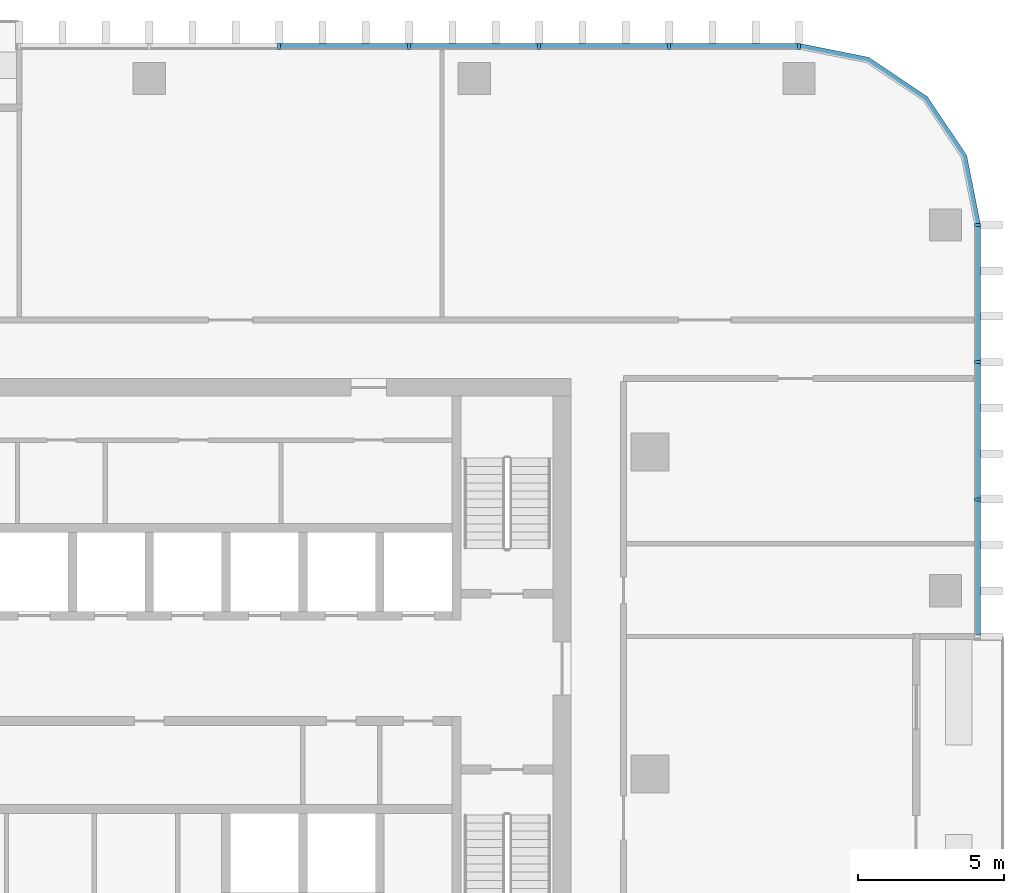
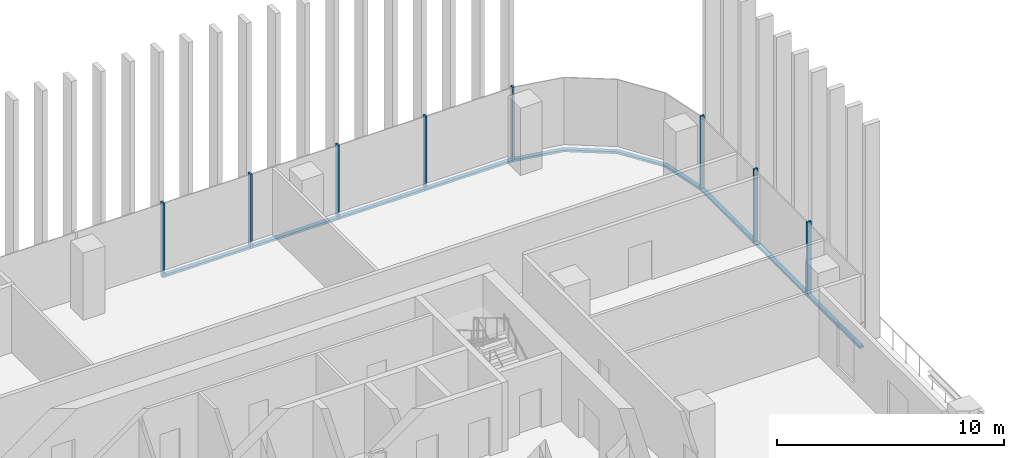
# One storey, part 5 of 15: 16 members, 3 elements without a shape of their own.
"""IFC4 building model written with IfcOpenShell, lengths in metres."""

from ifc_helpers import new_model, si_unit, direction, frame, origin, origin_2d, place, context, subcontext, project, spatial, polyline, rectangle, outline, extrude, material, material_profile, profile_set, type_object, element, aggregate, save


model = new_model("IFC4")

# Units and contexts
model_context = context("Model", 3, precision=1e-05, world=origin(), true_north=direction((0.0, 1.0)))
body_context = subcontext(model_context, "Body", "Model", "MODEL_VIEW")
ifc_project = project(units=[si_unit("LENGTHUNIT", "METRE"), si_unit("AREAUNIT", "SQUARE_METRE"), si_unit("VOLUMEUNIT", "CUBIC_METRE"), si_unit("PLANEANGLEUNIT", "RADIAN"), si_unit("MASSUNIT", "GRAM", prefix="KILO")], contexts=[model_context])

# Site, building, storey
site_placement = place(None, origin())
site = spatial("IfcSite", under=ifc_project, at=site_placement, CompositionType="ELEMENT")
building_placement = place(site_placement, origin())
building = spatial("IfcBuilding", under=site, at=building_placement, Name="Mopane Tessera Tower", CompositionType="ELEMENT")
storey_placement = place(building_placement, frame((0.0, 0.0, 223.0)))
storey = spatial("IfcBuildingStorey", under=building, at=storey_placement, Name="L47", CompositionType="ELEMENT", Elevation=223.0)

# Curtain wall, members
ifc_material_1 = material(Name="Aluminium frame", Category="aluminium")
curtain_wall_type = type_object("IfcCurtainWallType", Name="Unitised curtain wall", PredefinedType="NOTDEFINED", material=ifc_material_1)
curtain_wall_1_placement = place(storey_placement, origin())
curtain_wall_1 = element("IfcCurtainWall", 1, at=curtain_wall_1_placement, inside=storey, type_object=curtain_wall_type, Name="e:cw:L47:E:5", PredefinedType="NOTDEFINED")
ifc_material_2 = material(Name="Aluminium frame", Category="aluminium")
ifc_material_profile_1 = material_profile(ifc_material_2, rectangle(XDim=0.10009765625, YDim=0.199951171875, at=origin_2d()))
ifc_profile_set_1 = profile_set([ifc_material_profile_1], Name="Aluminium frame")
member_type_1 = type_object("IfcMemberType", Name="Aluminium mullion 100 x 200", PredefinedType="MULLION", material=ifc_profile_set_1)
member_1_placement = place(storey_placement, frame((28.300048828125, 9.375, -0.39990234375), z_axis=(0.0, 0.0, 1.0), x_axis=(0.0, 1.0, 0.0)))
member_1 = element("IfcMember", 2, at=member_1_placement, type_object=member_type_1, Name="e:cw:L47:E:5:mu6", PredefinedType="MULLION", context=body_context, shape_type="SweptSolid", body=[
    extrude(rectangle(XDim=0.10009765625, YDim=0.199951171875, at=origin_2d()), origin(), (0.0, 0.0, 1.0), 4.0),
])
member_2_placement = place(storey_placement, frame((28.300048828125, 14.0625, -0.39990234375), z_axis=(0.0, 0.0, 1.0), x_axis=(0.0, 1.0, 0.0)))
member_2 = element("IfcMember", 3, at=member_2_placement, type_object=member_type_1, Name="e:cw:L47:E:5:mu7", PredefinedType="MULLION", context=body_context, shape_type="SweptSolid", body=[
    extrude(rectangle(XDim=0.10009765625, YDim=0.199951171875, at=origin_2d()), origin(), (0.0, 0.0, 1.0), 4.0),
])
member_3_placement = place(storey_placement, frame((28.300048828125, 18.75, -0.39990234375), z_axis=(0.0, 0.0, 1.0), x_axis=(0.0, 1.0, 0.0)))
member_3 = element("IfcMember", 4, at=member_3_placement, type_object=member_type_1, Name="e:cw:L47:E:5:mu8", PredefinedType="MULLION", context=body_context, shape_type="SweptSolid", body=[
    extrude(rectangle(XDim=0.10009765625, YDim=0.199951171875, at=origin_2d()), origin(), (0.0, 0.0, 1.0), 4.0),
])

curtain_wall_2_placement = place(storey_placement, origin())
curtain_wall_2 = element("IfcCurtainWall", 5, at=curtain_wall_2_placement, inside=storey, type_object=curtain_wall_type, Name="e:cw:L47:N:0", PredefinedType="NOTDEFINED")
member_4_placement = place(storey_placement, frame((22.199951171875, 24.85009765625, -0.39990234375), z_axis=(0.0, 0.0, 1.0), x_axis=(-1.0, 0.0, 0.0)))
member_4 = element("IfcMember", 6, at=member_4_placement, type_object=member_type_1, Name="e:cw:L47:N:0:mu0", PredefinedType="MULLION", context=body_context, shape_type="SweptSolid", body=[
    extrude(rectangle(XDim=0.10009765625, YDim=0.199951171875, at=origin_2d()), origin(), (0.0, 0.0, 1.0), 4.0),
])
member_5_placement = place(storey_placement, frame((17.760009765625, 24.85009765625, -0.39990234375), z_axis=(0.0, 0.0, 1.0), x_axis=(-1.0, 0.0, 0.0)))
member_5 = element("IfcMember", 7, at=member_5_placement, type_object=member_type_1, Name="e:cw:L47:N:0:mu1", PredefinedType="MULLION", context=body_context, shape_type="SweptSolid", body=[
    extrude(rectangle(XDim=0.10009765625, YDim=0.199951171875, at=origin_2d()), origin(), (0.0, 0.0, 1.0), 4.0),
])
member_6_placement = place(storey_placement, frame((13.320068359375, 24.85009765625, -0.39990234375), z_axis=(0.0, 0.0, 1.0), x_axis=(-1.0, 0.0, 0.0)))
member_6 = element("IfcMember", 8, at=member_6_placement, type_object=member_type_1, Name="e:cw:L47:N:0:mu2", PredefinedType="MULLION", context=body_context, shape_type="SweptSolid", body=[
    extrude(rectangle(XDim=0.10009765625, YDim=0.199951171875, at=origin_2d()), origin(), (0.0, 0.0, 1.0), 4.0),
])
member_7_placement = place(storey_placement, frame((8.8798828125, 24.85009765625, -0.39990234375), z_axis=(0.0, 0.0, 1.0), x_axis=(-1.0, 0.0, 0.0)))
member_7 = element("IfcMember", 9, at=member_7_placement, type_object=member_type_1, Name="e:cw:L47:N:0:mu3", PredefinedType="MULLION", context=body_context, shape_type="SweptSolid", body=[
    extrude(rectangle(XDim=0.10009765625, YDim=0.199951171875, at=origin_2d()), origin(), (0.0, 0.0, 1.0), 4.0),
])
member_8_placement = place(storey_placement, frame((4.43994140625, 24.85009765625, -0.39990234375), z_axis=(0.0, 0.0, 1.0), x_axis=(-1.0, 0.0, 0.0)))
member_8 = element("IfcMember", 10, at=member_8_placement, type_object=member_type_1, Name="e:cw:L47:N:0:mu4", PredefinedType="MULLION", context=body_context, shape_type="SweptSolid", body=[
    extrude(rectangle(XDim=0.10009765625, YDim=0.199951171875, at=origin_2d()), origin(), (0.0, 0.0, 1.0), 4.0),
])

# Member
ifc_material_3 = material(Name="Aluminium frame", Category="aluminium")
ifc_material_profile_2 = material_profile(ifc_material_3, rectangle(XDim=0.199951171875, YDim=0.1201171875, at=origin_2d()))
ifc_profile_set_2 = profile_set([ifc_material_profile_2], Name="Aluminium frame")
member_type_2 = type_object("IfcMemberType", Name="Aluminium transom 200 x 120", PredefinedType="USERDEFINED", material=ifc_profile_set_2)
member_9_placement = place(storey_placement, frame((28.300048828125, 4.737548828125, -0.340087890625), z_axis=(0.0, 1.0, 0.0), x_axis=(-1.0, 0.0, 0.0)))
member_9 = element("IfcMember", 11, at=member_9_placement, type_object=member_type_2, Name="e:cw:L47:E:5:tr5", ObjectType="TRANSOM", PredefinedType="USERDEFINED", context=body_context, shape_type="SweptSolid", body=[
    extrude(rectangle(XDim=0.199951171875, YDim=0.1201171875, at=origin_2d()), origin(), (0.0, 0.0, 1.0), 4.58740234375),
])

member_10_placement = place(storey_placement, frame((28.300048828125, 9.425048828125, -0.340087890625), z_axis=(0.0, 1.0, 0.0), x_axis=(-1.0, 0.0, 0.0)))
member_10 = element("IfcMember", 12, at=member_10_placement, type_object=member_type_2, Name="e:cw:L47:E:5:tr6", ObjectType="TRANSOM", PredefinedType="USERDEFINED", context=body_context, shape_type="SweptSolid", body=[
    extrude(rectangle(XDim=0.199951171875, YDim=0.1201171875, at=origin_2d()), origin(), (0.0, 0.0, 1.0), 4.58740234375),
])

member_11_placement = place(storey_placement, frame((28.300048828125, 14.112548828125, -0.340087890625), z_axis=(0.0, 1.0, 0.0), x_axis=(-1.0, 0.0, 0.0)))
member_11 = element("IfcMember", 13, at=member_11_placement, type_object=member_type_2, Name="e:cw:L47:E:5:tr7", ObjectType="TRANSOM", PredefinedType="USERDEFINED", context=body_context, shape_type="SweptSolid", body=[
    extrude(rectangle(XDim=0.199951171875, YDim=0.1201171875, at=origin_2d()), origin(), (0.0, 0.0, 1.0), 4.58740234375),
])

aggregate(curtain_wall_1, [member_1, member_2, member_3, member_9, member_10, member_11])

# Curtain wall, member
curtain_wall_3_placement = place(storey_placement, origin())
curtain_wall_3 = element("IfcCurtainWall", 14, at=curtain_wall_3_placement, inside=storey, type_object=curtain_wall_type, Name="e:cw:L47:CE", PredefinedType="NOTDEFINED")
member_12_placement = place(storey_placement, frame((0.0, 0.0, -0.39990234375)))
member_12 = element("IfcMember", 15, at=member_12_placement, type_object=member_type_2, Name="e:cw:L47:CE:tr", ObjectType="TRANSOM", PredefinedType="USERDEFINED", context=body_context, shape_type="SweptSolid", body=[
    extrude(outline(polyline([(28.199951171875, 18.75), (27.7431640625, 21.046142578125), (26.442626953125, 22.99267578125), (24.49609375, 24.293212890625), (22.199951171875, 24.75), (22.199951171875, 24.949951171875), (24.57275390625, 24.47802734375), (26.583984375, 23.134033203125), (27.927978515625, 21.12255859375), (28.39990234375, 18.75), (28.199951171875, 18.75)])), origin(), (0.0, 0.0, 1.0), 0.119873046875),
])
aggregate(curtain_wall_3, [member_12])

# Member
member_13_placement = place(storey_placement, frame((22.14990234375, 24.85009765625, -0.340087890625), z_axis=(-1.0, 0.0, 0.0), x_axis=(0.0, -1.0, 0.0)))
member_13 = element("IfcMember", 16, at=member_13_placement, type_object=member_type_2, Name="e:cw:L47:N:0:tr0", ObjectType="TRANSOM", PredefinedType="USERDEFINED", context=body_context, shape_type="SweptSolid", body=[
    extrude(rectangle(XDim=0.199951171875, YDim=0.1201171875, at=origin_2d()), origin(), (0.0, 0.0, 1.0), 4.33984375),
])

member_14_placement = place(storey_placement, frame((17.7099609375, 24.85009765625, -0.340087890625), z_axis=(-1.0, 0.0, 0.0), x_axis=(0.0, -1.0, 0.0)))
member_14 = element("IfcMember", 17, at=member_14_placement, type_object=member_type_2, Name="e:cw:L47:N:0:tr1", ObjectType="TRANSOM", PredefinedType="USERDEFINED", context=body_context, shape_type="SweptSolid", body=[
    extrude(rectangle(XDim=0.199951171875, YDim=0.1201171875, at=origin_2d()), origin(), (0.0, 0.0, 1.0), 4.33984375),
])

member_15_placement = place(storey_placement, frame((13.27001953125, 24.85009765625, -0.340087890625), z_axis=(-1.0, 0.0, 0.0), x_axis=(0.0, -1.0, 0.0)))
member_15 = element("IfcMember", 18, at=member_15_placement, type_object=member_type_2, Name="e:cw:L47:N:0:tr2", ObjectType="TRANSOM", PredefinedType="USERDEFINED", context=body_context, shape_type="SweptSolid", body=[
    extrude(rectangle(XDim=0.199951171875, YDim=0.1201171875, at=origin_2d()), origin(), (0.0, 0.0, 1.0), 4.340087890625),
])

member_16_placement = place(storey_placement, frame((8.830078125, 24.85009765625, -0.340087890625), z_axis=(-1.0, 0.0, 0.0), x_axis=(0.0, -1.0, 0.0)))
member_16 = element("IfcMember", 19, at=member_16_placement, type_object=member_type_2, Name="e:cw:L47:N:0:tr3", ObjectType="TRANSOM", PredefinedType="USERDEFINED", context=body_context, shape_type="SweptSolid", body=[
    extrude(rectangle(XDim=0.199951171875, YDim=0.1201171875, at=origin_2d()), origin(), (0.0, 0.0, 1.0), 4.340087890625),
])

aggregate(curtain_wall_2, [member_4, member_5, member_6, member_7, member_8, member_13, member_14, member_15, member_16])

save(model, "model.ifc")
